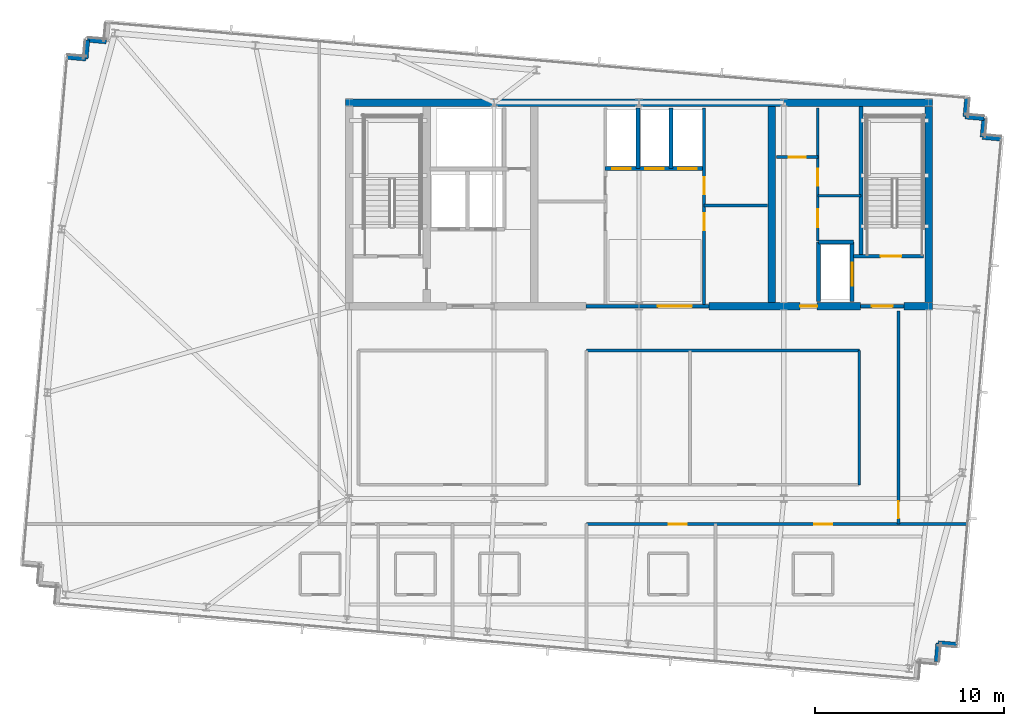
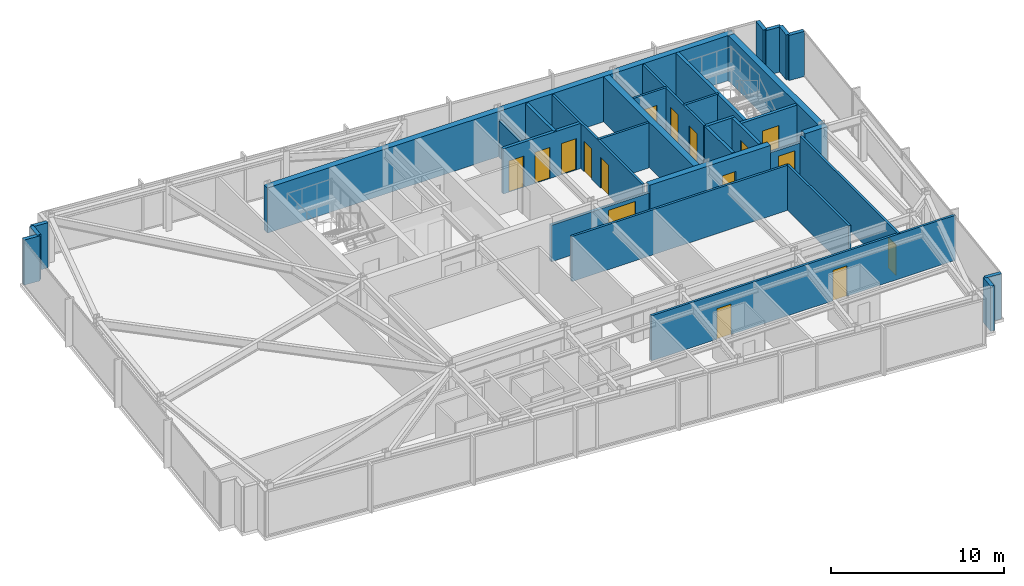
# One storey, part 28 of 33: 33 walls, 16 doors, 16 openings.
"""IFC4 building model written with IfcOpenShell, lengths in metres."""

from ifc_helpers import new_model, si_unit, direction, frame, frame_2d, origin, place, context, subcontext, project, spatial, rectangle, extrude, material, layer, layer_set, type_object, element, fill, save


model = new_model("IFC4")

# Units and contexts
model_context = context("Model", 3, precision=1e-05, world=origin(), true_north=direction((0.0, 1.0)))
body_context = subcontext(model_context, "Body", "Model", "MODEL_VIEW")
ifc_project = project(units=[si_unit("LENGTHUNIT", "METRE"), si_unit("AREAUNIT", "SQUARE_METRE"), si_unit("VOLUMEUNIT", "CUBIC_METRE"), si_unit("PLANEANGLEUNIT", "RADIAN"), si_unit("MASSUNIT", "GRAM", prefix="KILO")], contexts=[model_context])

# Site, building, storey
site_placement = place(None, origin())
site = spatial("IfcSite", under=ifc_project, at=site_placement, CompositionType="ELEMENT")
building_placement = place(site_placement, origin())
building = spatial("IfcBuilding", under=site, at=building_placement, Name="Yelkora Congress Tower", CompositionType="ELEMENT")
storey_placement = place(building_placement, frame((0.0, 0.0, 282.89990234375)))
storey = spatial("IfcBuildingStorey", under=building, at=storey_placement, Name="L79", CompositionType="ELEMENT", Elevation=282.89990234375)

# Walls
ifc_material_1 = material(Name="Concrete C50/60", Category="concrete")
ifc_layer_1 = layer(ifc_material_1, 0.219970703125)
ifc_layer_set_1 = layer_set([ifc_layer_1], Name="Concrete C50/60")
wall_type_1 = type_object("IfcWallType", Name="WALL-CORE-INT-220", PredefinedType="SHEAR", material=ifc_layer_set_1)
wall_1_placement = place(storey_placement, frame((50.179931640625, 38.050048828125, 0.0), z_axis=(0.0, 0.0, 1.0), x_axis=(0.0, 1.0, 0.0)))
element("IfcWall", 1, at=wall_1_placement, inside=storey, type_object=wall_type_1, Name="L79 ST02 West Stair Shear Wall", PredefinedType="SHEAR", context=body_context, shape_type="SweptSolid", body=[
    extrude(rectangle(XDim=7.949951171875, YDim=0.219970703125, at=frame_2d((3.97509765625, 0.0))), origin(), (0.0, 0.0, 1.0), 3.18017578125),
])
ifc_layer_2 = layer(ifc_material_1, 0.39990234375)
ifc_layer_set_2 = layer_set([ifc_layer_2], Name="Concrete C50/60")
wall_type_2 = type_object("IfcWallType", Name="WALL-CORE-INT-400", PredefinedType="SHEAR", material=ifc_layer_set_2)
wall_2_placement = place(storey_placement, frame((22.840087890625, 46.199951171875, 0.0), z_axis=(0.0, 0.0, 1.0), x_axis=(1.0, 0.0, 0.0)))
element("IfcWall", 2, at=wall_2_placement, inside=storey, type_object=wall_type_2, Name="L79 Rear Core North Shear Wall", PredefinedType="SHEAR", context=body_context, shape_type="SweptSolid", body=[
    extrude(rectangle(XDim=31.119873046875, YDim=0.39990234375, at=frame_2d((15.56005859375, 0.0))), origin(), (0.0, 0.0, 1.0), 3.18017578125),
])

# Wall, opening, door
wall_3_placement = place(storey_placement, frame((42.10009765625, 35.39990234375, 0.0), z_axis=(0.0, 0.0, 1.0), x_axis=(1.0, 0.0, 0.0)))
wall_3 = element("IfcWall", 3, at=wall_3_placement, inside=storey, type_object=wall_type_2, Name="L79 Rear Core South-East Shear Wall A", PredefinedType="SHEAR", context=body_context, shape_type="SweptSolid", body=[
    extrude(rectangle(XDim=8.0498046875, YDim=0.39990234375, at=frame_2d((4.02490234375, 0.0))), origin(), (0.0, 0.0, 1.0), 3.18017578125),
])
opening_1_placement = place(wall_3_placement, frame((4.85009765625, 0.0, 0.0)))
opening_1 = element("IfcOpeningElement", 4, at=opening_1_placement, cuts=wall_3, Name="Opening DR-090F6", PredefinedType="OPENING", context=body_context, shape_type="SweptSolid", body=[
    extrude(rectangle(XDim=0.89990234375, YDim=2.14990234375, at=frame_2d((0.449951171875, 1.074951171875))), frame((0.0, 0.2099609375, 0.0), z_axis=(0.0, -1.0, 0.0), x_axis=(1.0, 0.0, 0.0)), (0.0, 0.0, 1.0), 0.419921875),
])
ifc_material_2 = material(Name="Painted steel riser fire door leaf", Category="steel")
door_type_1 = type_object("IfcDoorType", Name="DOOR-FD60-900", OperationType="NOTDEFINED", PredefinedType="DOOR", material=ifc_material_2)
door_1_placement = place(opening_1_placement, origin())
door_1 = element("IfcDoor", 5, at=door_1_placement, inside=storey, type_object=door_type_1, Name="L79 Core Washroom Lobby Door", OperationType="SINGLE_SWING_RIGHT", OverallHeight=2.14990234375, OverallWidth=0.89990234375, PredefinedType="DOOR", context=body_context, shape_type="SweptSolid", body=[
    extrude(rectangle(XDim=0.89990234375, YDim=2.14990234375, at=frame_2d((0.449951171875, 1.074951171875))), frame((0.0, 0.02490234375, 0.0), z_axis=(0.0, -1.0, 0.0), x_axis=(1.0, 0.0, 0.0)), (0.0, 0.0, 1.0), 0.050048828125),
])
fill(opening_1, door_1)

# Walls
wall_4_placement = place(storey_placement, frame((52.449951171875, 35.39990234375, 0.0), z_axis=(0.0, 0.0, 1.0), x_axis=(1.0, 0.0, 0.0)))
element("IfcWall", 6, at=wall_4_placement, inside=storey, type_object=wall_type_2, Name="L79 Rear Core South-East Shear Wall B", PredefinedType="SHEAR", context=body_context, shape_type="SweptSolid", body=[
    extrude(rectangle(XDim=1.510009765625, YDim=0.39990234375, at=frame_2d((0.7548828125, 0.0))), origin(), (0.0, 0.0, 1.0), 3.18017578125),
])
for number, where, z_axis, x_axis, name in (
    (7, (45.449951171875, 35.60009765625, 0.0), (0.0, 0.0, 1.0), (0.0, 1.0, 0.0), "L79 Rear Core Cross Shear Wall C3"),
    (8, (53.760009765625, 35.60009765625, 0.0), (0.0, 0.0, 1.0), (0.0, 1.0, 0.0), "L79 Rear Core Cross Shear Wall E"),
):
    element("IfcWall", number, at=place(storey_placement, frame(where, z_axis=z_axis, x_axis=x_axis)), inside=storey, type_object=wall_type_2, Name=name, PredefinedType="SHEAR", context=body_context, shape_type="SweptSolid", body=[
        extrude(rectangle(XDim=10.39990234375, YDim=0.39990234375, at=frame_2d((5.199951171875, 0.0))), origin(), (0.0, 0.0, 1.0), 3.18017578125),
    ])
ifc_material_3 = material(Name="Concrete C40/50", Category="concrete")
ifc_layer_3 = layer(ifc_material_3, 0.239990234375)
ifc_layer_set_3 = layer_set([ifc_layer_3], Name="Concrete C40/50")
wall_type_3 = type_object("IfcWallType", Name="WALL-EXT-LIMESTONE-240", PredefinedType="SOLIDWALL", material=ifc_layer_set_3)
for number, where, z_axis, x_axis, name in (
    (9, (8.0732421875, 48.609619140625, 0.0), (0.0, 0.0, 1.0), (0.996195572005, -0.087145753297, 0.0), "L79 Serrated Corner Limestone Pier 6"),
    (10, (9.069580078125, 48.5224609375, 0.0), (0.0, 0.0, 1.0), (0.087145753297, 0.996195572005, 0.0), "L79 Serrated Corner Limestone Pier 7"),
):
    element("IfcWall", number, at=place(storey_placement, frame(where, z_axis=z_axis, x_axis=x_axis)), inside=storey, type_object=wall_type_3, Name=name, PredefinedType="SOLIDWALL", context=body_context, shape_type="SweptSolid", body=[
        extrude(rectangle(XDim=1.000244140625, YDim=0.239990234375, at=frame_2d((0.5, 0.0))), origin(), (0.0, 0.0, 1.0), 3.18017578125),
    ])
for number, where, z_axis, x_axis, name in (
    (11, (9.15673828125, 49.518798828125, 0.0), (0.0, 0.0, 1.0), (0.996193717496, -0.087166950281, 0.0), "L79 Serrated Corner Limestone Pier 8"),
    (12, (55.785888671875, 46.443115234375, 0.0), (0.0, 0.0, 1.0), (-0.086903493655, -0.996216734848, 0.0), "L79 Serrated Corner Limestone Pier 11"),
    (13, (55.698974609375, 45.44677734375, 0.0), (0.0, 0.0, 1.0), (0.996193717496, -0.087166950281, 0.0), "L79 Serrated Corner Limestone Pier 12"),
    (14, (56.695068359375, 45.359619140625, 0.0), (0.0, 0.0, 1.0), (-0.087166950281, -0.996193717496, 0.0), "L79 Serrated Corner Limestone Pier 13"),
    (15, (56.60791015625, 44.363525390625, 0.0), (0.0, 0.0, 1.0), (0.996193717496, -0.087166950281, 0.0), "L79 Serrated Corner Limestone Pier 14"),
    (16, (55.2578125, 17.458740234375, 0.0), (0.0, 0.0, 1.0), (-0.996193717496, 0.087166950281, 0.0), "L79 Serrated Corner Limestone Pier 16"),
    (17, (54.26171875, 17.5458984375, 0.0), (0.0, 0.0, 1.0), (-0.087166950281, -0.996193717496, 0.0), "L79 Serrated Corner Limestone Pier 17"),
):
    element("IfcWall", number, at=place(storey_placement, frame(where, z_axis=z_axis, x_axis=x_axis)), inside=storey, type_object=wall_type_3, Name=name, PredefinedType="SOLIDWALL", context=body_context, shape_type="SweptSolid", body=[
        extrude(rectangle(XDim=1.0, YDim=0.239990234375, at=frame_2d((0.5, 0.0))), origin(), (0.0, 0.0, 1.0), 3.18017578125),
    ])

# Wall, opening, door
ifc_material_4 = material(Name="Acoustic metal-stud gypsum partition", Category="gypsum")
ifc_layer_4 = layer(ifc_material_4, 0.14990234375)
ifc_layer_set_4 = layer_set([ifc_layer_4], Name="Acoustic metal-stud gypsum partition")
wall_type_4 = type_object("IfcWallType", Name="WALL-INT-150-NR", PredefinedType="PARTITIONING", material=ifc_layer_set_4)
wall_5_placement = place(storey_placement, frame((45.679931640625, 43.31005859375, 0.0), z_axis=(0.0, 0.0, 1.0), x_axis=(1.0, 0.0, 0.0)))
wall_5 = element("IfcWall", 18, at=wall_5_placement, inside=storey, type_object=wall_type_4, Name="L79 Partition Wall 20", PredefinedType="PARTITIONING", context=body_context, shape_type="SweptSolid", body=[
    extrude(rectangle(XDim=2.199951171875, YDim=0.14990234375, at=frame_2d((1.10009765625, 0.0))), origin(), (0.0, 0.0, 1.0), 3.18017578125),
])
opening_2_placement = place(wall_5_placement, frame((0.64990234375, 0.0, 0.0)))
opening_2 = element("IfcOpeningElement", 19, at=opening_2_placement, cuts=wall_5, Name="Opening DR-090N", PredefinedType="OPENING", context=body_context, shape_type="SweptSolid", body=[
    extrude(rectangle(XDim=0.89990234375, YDim=2.14990234375, at=frame_2d((0.449951171875, 1.074951171875))), frame((0.0, 0.0849609375, 0.0), z_axis=(0.0, -1.0, 0.0), x_axis=(1.0, 0.0, 0.0)), (0.0, 0.0, 1.0), 0.169921875),
])
ifc_material_5 = material(Name="Moisture-resistant laminate door leaf", Category="wood")
door_type_2 = type_object("IfcDoorType", Name="DOOR-INT-900", OperationType="NOTDEFINED", PredefinedType="DOOR", material=ifc_material_5)
door_2_placement = place(opening_2_placement, origin())
door_2 = element("IfcDoor", 20, at=door_2_placement, inside=storey, type_object=door_type_2, Name="L79 Male WC Door", OperationType="SINGLE_SWING_LEFT", OverallHeight=2.14990234375, OverallWidth=0.89990234375, PredefinedType="DOOR", context=body_context, shape_type="SweptSolid", body=[
    extrude(rectangle(XDim=0.89990234375, YDim=2.14990234375, at=frame_2d((0.449951171875, 1.074951171875))), frame((0.0, 0.02490234375, 0.0), z_axis=(0.0, -1.0, 0.0), x_axis=(1.0, 0.0, 0.0)), (0.0, 0.0, 1.0), 0.050048828125),
])
fill(opening_2, door_2)

# Wall
wall_6_placement = place(storey_placement, frame((47.8798828125, 41.260009765625, 0.0), z_axis=(0.0, 0.0, 1.0), x_axis=(1.0, 0.0, 0.0)))
element("IfcWall", 21, at=wall_6_placement, inside=storey, type_object=wall_type_4, Name="L79 Partition Wall 21", PredefinedType="PARTITIONING", context=body_context, shape_type="SweptSolid", body=[
    extrude(rectangle(XDim=2.300048828125, YDim=0.14990234375, at=frame_2d((1.14990234375, 0.0))), origin(), (0.0, 0.0, 1.0), 3.18017578125),
])

# Wall, openings, doors
wall_7_placement = place(storey_placement, frame((47.8798828125, 38.85009765625, 0.0), z_axis=(0.0, 0.0, 1.0), x_axis=(0.0, 1.0, 0.0)))
wall_7 = element("IfcWall", 22, at=wall_7_placement, inside=storey, type_object=wall_type_4, Name="L79 Partition Wall 22", PredefinedType="PARTITIONING", context=body_context, shape_type="SweptSolid", body=[
    extrude(rectangle(XDim=7.06982421875, YDim=0.14990234375, at=frame_2d((3.534912109375, 0.0))), origin(), (0.0, 0.0, 1.0), 3.18017578125),
])
opening_3_placement = place(wall_7_placement, frame((0.75, 0.0, 0.0)))
opening_3 = element("IfcOpeningElement", 23, at=opening_3_placement, cuts=wall_7, Name="Opening DR-095N", PredefinedType="OPENING", context=body_context, shape_type="SweptSolid", body=[
    extrude(rectangle(XDim=0.949951171875, YDim=2.14990234375, at=frame_2d((0.47509765625, 1.074951171875))), frame((0.0, 0.0849609375, 0.0), z_axis=(0.0, -1.0, 0.0), x_axis=(1.0, 0.0, 0.0)), (0.0, 0.0, 1.0), 0.169921875),
])
opening_4_placement = place(wall_7_placement, frame((2.949951171875, 0.0, 0.0)))
opening_4 = element("IfcOpeningElement", 24, at=opening_4_placement, cuts=wall_7, Name="Opening DR-090N", PredefinedType="OPENING", context=body_context, shape_type="SweptSolid", body=[
    extrude(rectangle(XDim=0.89990234375, YDim=2.14990234375, at=frame_2d((0.449951171875, 1.074951171875))), frame((0.0, 0.0849609375, 0.0), z_axis=(0.0, -1.0, 0.0), x_axis=(1.0, 0.0, 0.0)), (0.0, 0.0, 1.0), 0.169921875),
])
door_3_placement = place(opening_4_placement, origin())
door_3 = element("IfcDoor", 25, at=door_3_placement, inside=storey, type_object=door_type_2, Name="L79 Female WC Door", OperationType="SINGLE_SWING_LEFT", OverallHeight=2.14990234375, OverallWidth=0.89990234375, PredefinedType="DOOR", context=body_context, shape_type="SweptSolid", body=[
    extrude(rectangle(XDim=0.89990234375, YDim=2.14990234375, at=frame_2d((0.449951171875, 1.074951171875))), frame((0.0, 0.02490234375, 0.0), z_axis=(0.0, -1.0, 0.0), x_axis=(1.0, 0.0, 0.0)), (0.0, 0.0, 1.0), 0.050048828125),
])
fill(opening_4, door_3)
ifc_material_6 = material(Name="Acoustic laminated timber office door", Category="wood")
door_type_3 = type_object("IfcDoorType", Name="DOOR-INT-950", OperationType="NOTDEFINED", PredefinedType="DOOR", material=ifc_material_6)
door_4_placement = place(opening_3_placement, origin())
door_4 = element("IfcDoor", 26, at=door_4_placement, inside=storey, type_object=door_type_3, Name="L79 Accessible WC Door", OperationType="SINGLE_SWING_RIGHT", OverallHeight=2.14990234375, OverallWidth=0.949951171875, PredefinedType="DOOR", context=body_context, shape_type="SweptSolid", body=[
    extrude(rectangle(XDim=0.949951171875, YDim=2.14990234375, at=frame_2d((0.47509765625, 1.074951171875))), frame((0.0, 0.02490234375, 0.0), z_axis=(0.0, -1.0, 0.0), x_axis=(1.0, 0.0, 0.0)), (0.0, 0.0, 1.0), 0.050048828125),
])
fill(opening_3, door_4)

# Wall, opening, door
wall_8_placement = place(storey_placement, frame((52.159912109375, 23.85009765625, 0.0), z_axis=(0.0, 0.0, 1.0), x_axis=(0.0, 1.0, 0.0)))
wall_8 = element("IfcWall", 27, at=wall_8_placement, inside=storey, type_object=wall_type_4, Name="L79 Partition Wall 50", PredefinedType="PARTITIONING", context=body_context, shape_type="SweptSolid", body=[
    extrude(rectangle(XDim=11.289794921875, YDim=0.14990234375, at=frame_2d((5.64501953125, 0.0))), origin(), (0.0, 0.0, 1.0), 3.18017578125),
])
opening_5_placement = place(wall_8_placement, frame((0.300048828125, 0.0, 0.0)))
opening_5 = element("IfcOpeningElement", 28, at=opening_5_placement, cuts=wall_8, Name="Opening DR-090N", PredefinedType="OPENING", context=body_context, shape_type="SweptSolid", body=[
    extrude(rectangle(XDim=0.89990234375, YDim=2.14990234375, at=frame_2d((0.449951171875, 1.074951171875))), frame((0.0, 0.0849609375, 0.0), z_axis=(0.0, -1.0, 0.0), x_axis=(1.0, 0.0, 0.0)), (0.0, 0.0, 1.0), 0.169921875),
])
door_5_placement = place(opening_5_placement, origin())
door_5 = element("IfcDoor", 29, at=door_5_placement, inside=storey, type_object=door_type_2, Name="L79 E Wing Door", OperationType="SINGLE_SWING_LEFT", OverallHeight=2.14990234375, OverallWidth=0.89990234375, PredefinedType="DOOR", context=body_context, shape_type="SweptSolid", body=[
    extrude(rectangle(XDim=0.89990234375, YDim=2.14990234375, at=frame_2d((0.449951171875, 1.074951171875))), frame((0.0, 0.02490234375, 0.0), z_axis=(0.0, -1.0, 0.0), x_axis=(1.0, 0.0, 0.0)), (0.0, 0.0, 1.0), 0.050048828125),
])
fill(opening_5, door_5)

# Walls
wall_9_placement = place(storey_placement, frame((50.080078125, 25.929931640625, 0.0), z_axis=(0.0, 0.0, 1.0), x_axis=(0.0, 1.0, 0.0)))
element("IfcWall", 30, at=wall_9_placement, inside=storey, type_object=wall_type_4, Name="L79 Partition Wall 52", PredefinedType="PARTITIONING", context=body_context, shape_type="SweptSolid", body=[
    extrude(rectangle(XDim=7.1201171875, YDim=0.14990234375, at=frame_2d((3.56005859375, 0.0))), origin(), (0.0, 0.0, 1.0), 3.18017578125),
])
wall_10_placement = place(storey_placement, frame((35.6201171875, 33.050048828125, 0.0), z_axis=(0.0, 0.0, 1.0), x_axis=(1.0, 0.0, 0.0)))
element("IfcWall", 31, at=wall_10_placement, inside=storey, type_object=wall_type_4, Name="L79 Partition Wall 56", PredefinedType="PARTITIONING", context=body_context, shape_type="SweptSolid", body=[
    extrude(rectangle(XDim=14.4599609375, YDim=0.14990234375, at=frame_2d((7.22998046875, 0.0))), origin(), (0.0, 0.0, 1.0), 3.18017578125),
])
ifc_material_7 = material(Name="Twin-stud fire-rated gypsum partition", Category="gypsum")
ifc_layer_5 = layer(ifc_material_7, 0.14990234375)
ifc_layer_set_5 = layer_set([ifc_layer_5], Name="Twin-stud fire-rated gypsum partition")
wall_type_5 = type_object("IfcWallType", Name="WALL-INT-150-R60", PredefinedType="PARTITIONING", material=ifc_layer_set_5)
wall_11_placement = place(storey_placement, frame((41.85009765625, 40.75, 0.0), z_axis=(0.0, 0.0, 1.0), x_axis=(1.0, 0.0, 0.0)))
element("IfcWall", 32, at=wall_11_placement, inside=storey, type_object=wall_type_5, Name="L79 Partition Wall 13", PredefinedType="PARTITIONING", context=body_context, shape_type="SweptSolid", body=[
    extrude(rectangle(XDim=3.369873046875, YDim=0.14990234375, at=frame_2d((1.68505859375, 0.0))), origin(), (0.0, 0.0, 1.0), 3.18017578125),
])

# Wall, openings, doors
wall_12_placement = place(storey_placement, frame((41.85009765625, 35.5, 0.0), z_axis=(0.0, 0.0, 1.0), x_axis=(0.0, 1.0, 0.0)))
wall_12 = element("IfcWall", 33, at=wall_12_placement, inside=storey, type_object=wall_type_5, Name="L79 Partition Wall 14", PredefinedType="PARTITIONING", context=body_context, shape_type="SweptSolid", body=[
    extrude(rectangle(XDim=10.419921875, YDim=0.14990234375, at=frame_2d((5.2099609375, 0.0))), origin(), (0.0, 0.0, 1.0), 3.18017578125),
])
opening_6_placement = place(wall_12_placement, frame((3.919921875, 0.0, 0.0)))
opening_6 = element("IfcOpeningElement", 34, at=opening_6_placement, cuts=wall_12, Name="Opening DR-090F6", PredefinedType="OPENING", context=body_context, shape_type="SweptSolid", body=[
    extrude(rectangle(XDim=0.89990234375, YDim=2.14990234375, at=frame_2d((0.449951171875, 1.074951171875))), frame((0.0, 0.0849609375, 0.0), z_axis=(0.0, -1.0, 0.0), x_axis=(1.0, 0.0, 0.0)), (0.0, 0.0, 1.0), 0.169921875),
])
opening_7_placement = place(wall_12_placement, frame((5.85009765625, 0.0, 0.0)))
opening_7 = element("IfcOpeningElement", 35, at=opening_7_placement, cuts=wall_12, Name="Opening DR-090F6", PredefinedType="OPENING", context=body_context, shape_type="SweptSolid", body=[
    extrude(rectangle(XDim=0.89990234375, YDim=2.14990234375, at=frame_2d((0.449951171875, 1.074951171875))), frame((0.0, 0.0849609375, 0.0), z_axis=(0.0, -1.0, 0.0), x_axis=(1.0, 0.0, 0.0)), (0.0, 0.0, 1.0), 0.169921875),
])
door_6_placement = place(opening_6_placement, origin())
door_6 = element("IfcDoor", 36, at=door_6_placement, inside=storey, type_object=door_type_1, Name="L79 High-Zone BMS Door", OperationType="SINGLE_SWING_RIGHT", OverallHeight=2.14990234375, OverallWidth=0.89990234375, PredefinedType="DOOR", context=body_context, shape_type="SweptSolid", body=[
    extrude(rectangle(XDim=0.89990234375, YDim=2.14990234375, at=frame_2d((0.449951171875, 1.074951171875))), frame((0.0, 0.02490234375, 0.0), z_axis=(0.0, -1.0, 0.0), x_axis=(1.0, 0.0, 0.0)), (0.0, 0.0, 1.0), 0.050048828125),
])
fill(opening_6, door_6)
door_7_placement = place(opening_7_placement, origin())
door_7 = element("IfcDoor", 37, at=door_7_placement, inside=storey, type_object=door_type_1, Name="L79 Linen Store Door", OperationType="SINGLE_SWING_LEFT", OverallHeight=2.14990234375, OverallWidth=0.89990234375, PredefinedType="DOOR", context=body_context, shape_type="SweptSolid", body=[
    extrude(rectangle(XDim=0.89990234375, YDim=2.14990234375, at=frame_2d((0.449951171875, 1.074951171875))), frame((0.0, 0.02490234375, 0.0), z_axis=(0.0, -1.0, 0.0), x_axis=(1.0, 0.0, 0.0)), (0.0, 0.0, 1.0), 0.050048828125),
])
fill(opening_7, door_7)

wall_13_placement = place(storey_placement, frame((35.6201171875, 23.85009765625, 0.0), z_axis=(0.0, 0.0, 1.0), x_axis=(1.0, 0.0, 0.0)))
wall_13 = element("IfcWall", 38, at=wall_13_placement, inside=storey, type_object=wall_type_5, Name="L79 South Spine Wall East", PredefinedType="PARTITIONING", context=body_context, shape_type="SweptSolid", body=[
    extrude(rectangle(XDim=20.257080078125, YDim=0.14990234375, at=frame_2d((10.12841796875, 0.0))), origin(), (0.0, 0.0, 1.0), 3.18017578125),
])
opening_8_placement = place(wall_13_placement, frame((4.364501953125, 0.0, 0.0)))
opening_8 = element("IfcOpeningElement", 39, at=opening_8_placement, cuts=wall_13, Name="Opening DR-095F6", PredefinedType="OPENING", context=body_context, shape_type="SweptSolid", body=[
    extrude(rectangle(XDim=0.949951171875, YDim=2.14990234375, at=frame_2d((0.47509765625, 1.074951171875))), frame((0.0, 0.0849609375, 0.0), z_axis=(0.0, -1.0, 0.0), x_axis=(1.0, 0.0, 0.0)), (0.0, 0.0, 1.0), 0.169921875),
])
opening_9_placement = place(wall_13_placement, frame((12.0859375, 0.0, 0.0)))
opening_9 = element("IfcOpeningElement", 40, at=opening_9_placement, cuts=wall_13, Name="Opening DR-095F6", PredefinedType="OPENING", context=body_context, shape_type="SweptSolid", body=[
    extrude(rectangle(XDim=0.949951171875, YDim=2.14990234375, at=frame_2d((0.47509765625, 1.074951171875))), frame((0.0, 0.0849609375, 0.0), z_axis=(0.0, -1.0, 0.0), x_axis=(1.0, 0.0, 0.0)), (0.0, 0.0, 1.0), 0.169921875),
])
ifc_material_8 = material(Name="Acoustic oak-veneer fire door leaf", Category="wood")
door_type_4 = type_object("IfcDoorType", Name="DOOR-FD60-950", OperationType="NOTDEFINED", PredefinedType="DOOR", material=ifc_material_8)
door_8_placement = place(opening_8_placement, origin())
door_8 = element("IfcDoor", 41, at=door_8_placement, inside=storey, type_object=door_type_4, Name="L79 Hotel Guest Room 05 Entry Door", OperationType="SINGLE_SWING_RIGHT", OverallHeight=2.14990234375, OverallWidth=0.949951171875, PredefinedType="DOOR", context=body_context, shape_type="SweptSolid", body=[
    extrude(rectangle(XDim=0.949951171875, YDim=2.14990234375, at=frame_2d((0.47509765625, 1.074951171875))), frame((0.0, 0.02490234375, 0.0), z_axis=(0.0, -1.0, 0.0), x_axis=(1.0, 0.0, 0.0)), (0.0, 0.0, 1.0), 0.050048828125),
])
fill(opening_8, door_8)
door_9_placement = place(opening_9_placement, origin())
door_9 = element("IfcDoor", 42, at=door_9_placement, inside=storey, type_object=door_type_4, Name="L79 Diplomatic Suite 06 Entry Door", OperationType="SINGLE_SWING_LEFT", OverallHeight=2.14990234375, OverallWidth=0.949951171875, PredefinedType="DOOR", context=body_context, shape_type="SweptSolid", body=[
    extrude(rectangle(XDim=0.949951171875, YDim=2.14990234375, at=frame_2d((0.47509765625, 1.074951171875))), frame((0.0, 0.02490234375, 0.0), z_axis=(0.0, -1.0, 0.0), x_axis=(1.0, 0.0, 0.0)), (0.0, 0.0, 1.0), 0.050048828125),
])
fill(opening_9, door_9)

# Wall, opening, door
ifc_material_9 = material(Name="Autoclaved aerated concrete blockwork", Category="masonry")
ifc_layer_6 = layer(ifc_material_9, 0.199951171875)
ifc_layer_set_6 = layer_set([ifc_layer_6], Name="Autoclaved aerated concrete blockwork")
wall_type_6 = type_object("IfcWallType", Name="WALL-INT-200-R120", PredefinedType="PARTITIONING", material=ifc_layer_set_6)
wall_14_placement = place(storey_placement, frame((35.60009765625, 35.39990234375, 0.0), z_axis=(0.0, 0.0, 1.0), x_axis=(1.0, 0.0, 0.0)))
wall_14 = element("IfcWall", 43, at=wall_14_placement, inside=storey, type_object=wall_type_6, Name="L79 Main Lift Lobby South Portal Wall", PredefinedType="PARTITIONING", context=body_context, shape_type="SweptSolid", body=[
    extrude(rectangle(XDim=6.5, YDim=0.199951171875, at=frame_2d((3.25, 0.0))), origin(), (0.0, 0.0, 1.0), 2.5751953125),
])
opening_10_placement = place(wall_14_placement, frame((3.800048828125, 0.0, 0.0)))
opening_10 = element("IfcOpeningElement", 44, at=opening_10_placement, cuts=wall_14, Name="Opening DR-180D", PredefinedType="OPENING", context=body_context, shape_type="SweptSolid", body=[
    extrude(rectangle(XDim=1.800048828125, YDim=2.300048828125, at=frame_2d((0.89990234375, 1.14990234375))), frame((0.0, 0.10986328125, 0.0), z_axis=(0.0, -1.0, 0.0), x_axis=(1.0, 0.0, 0.0)), (0.0, 0.0, 1.0), 0.219970703125),
])
ifc_material_10 = material(Name="Acoustic double congress hall doors", Category="wood")
door_type_5 = type_object("IfcDoorType", Name="DOOR-DBL-1800", OperationType="DOUBLE_DOOR_SINGLE_SWING", PredefinedType="DOOR", material=ifc_material_10)
door_10_placement = place(opening_10_placement, origin())
door_10 = element("IfcDoor", 45, at=door_10_placement, inside=storey, type_object=door_type_5, Name="L79 Main Lift Lobby Portal Door", OperationType="DOUBLE_DOOR_SINGLE_SWING", OverallHeight=2.300048828125, OverallWidth=1.800048828125, PredefinedType="DOOR", context=body_context, shape_type="SweptSolid", body=[
    extrude(rectangle(XDim=1.800048828125, YDim=2.300048828125, at=frame_2d((0.89990234375, 1.14990234375))), frame((0.0, 0.02490234375, 0.0), z_axis=(0.0, -1.0, 0.0), x_axis=(1.0, 0.0, 0.0)), (0.0, 0.0, 1.0), 0.050048828125),
])
fill(opening_10, door_10)

# Wall, openings, doors
wall_15_placement = place(storey_placement, frame((36.60009765625, 42.699951171875, 0.0), z_axis=(0.0, 0.0, 1.0), x_axis=(1.0, 0.0, 0.0)))
wall_15 = element("IfcWall", 46, at=wall_15_placement, inside=storey, type_object=wall_type_6, Name="L79 Partition Wall 8", PredefinedType="PARTITIONING", context=body_context, shape_type="SweptSolid", body=[
    extrude(rectangle(XDim=5.25, YDim=0.199951171875, at=frame_2d((2.625, 0.0))), origin(), (0.0, 0.0, 1.0), 3.18017578125),
])
opening_11_placement = place(wall_15_placement, frame((0.375, 0.0, 0.0)))
opening_11 = element("IfcOpeningElement", 47, at=opening_11_placement, cuts=wall_15, Name="Opening LD-PS10", PredefinedType="OPENING", context=body_context, shape_type="SweptSolid", body=[
    extrude(rectangle(XDim=1.0, YDim=2.199951171875, at=frame_2d((0.5, 1.10009765625))), frame((0.0, 0.10986328125, 0.0), z_axis=(0.0, -1.0, 0.0), x_axis=(1.0, 0.0, 0.0)), (0.0, 0.0, 1.0), 0.219970703125),
])
opening_12_placement = place(wall_15_placement, frame((2.125, 0.0, 0.0)))
opening_12 = element("IfcOpeningElement", 48, at=opening_12_placement, cuts=wall_15, Name="Opening LD-PS10", PredefinedType="OPENING", context=body_context, shape_type="SweptSolid", body=[
    extrude(rectangle(XDim=1.0, YDim=2.199951171875, at=frame_2d((0.5, 1.10009765625))), frame((0.0, 0.10986328125, 0.0), z_axis=(0.0, -1.0, 0.0), x_axis=(1.0, 0.0, 0.0)), (0.0, 0.0, 1.0), 0.219970703125),
])
opening_13_placement = place(wall_15_placement, frame((3.875, 0.0, 0.0)))
opening_13 = element("IfcOpeningElement", 49, at=opening_13_placement, cuts=wall_15, Name="Opening LD-PS10", PredefinedType="OPENING", context=body_context, shape_type="SweptSolid", body=[
    extrude(rectangle(XDim=1.0, YDim=2.199951171875, at=frame_2d((0.5, 1.10009765625))), frame((0.0, 0.10986328125, 0.0), z_axis=(0.0, -1.0, 0.0), x_axis=(1.0, 0.0, 0.0)), (0.0, 0.0, 1.0), 0.219970703125),
])
ifc_material_11 = material(Name="Champagne stainless steel landing door", Category="steel")
door_type_6 = type_object("IfcDoorType", Name="DOOR-LIFT-PAS-1000", OperationType="DOUBLE_DOOR_SLIDING", PredefinedType="DOOR", material=ifc_material_11)
door_11_placement = place(opening_11_placement, origin())
door_11 = element("IfcDoor", 50, at=door_11_placement, inside=storey, type_object=door_type_6, Name="Lift Landing Door LF-P9 L79", OperationType="DOUBLE_DOOR_SLIDING", OverallHeight=2.199951171875, OverallWidth=1.0, PredefinedType="DOOR", context=body_context, shape_type="SweptSolid", body=[
    extrude(rectangle(XDim=1.0, YDim=2.199951171875, at=frame_2d((0.5, 1.10009765625))), frame((0.0, 0.02490234375, 0.0), z_axis=(0.0, -1.0, 0.0), x_axis=(1.0, 0.0, 0.0)), (0.0, 0.0, 1.0), 0.050048828125),
])
fill(opening_11, door_11)
door_12_placement = place(opening_12_placement, origin())
door_12 = element("IfcDoor", 51, at=door_12_placement, inside=storey, type_object=door_type_6, Name="Lift Landing Door LF-P10 L79", OperationType="DOUBLE_DOOR_SLIDING", OverallHeight=2.199951171875, OverallWidth=1.0, PredefinedType="DOOR", context=body_context, shape_type="SweptSolid", body=[
    extrude(rectangle(XDim=1.0, YDim=2.199951171875, at=frame_2d((0.5, 1.10009765625))), frame((0.0, 0.02490234375, 0.0), z_axis=(0.0, -1.0, 0.0), x_axis=(1.0, 0.0, 0.0)), (0.0, 0.0, 1.0), 0.050048828125),
])
fill(opening_12, door_12)
door_13_placement = place(opening_13_placement, origin())
door_13 = element("IfcDoor", 52, at=door_13_placement, inside=storey, type_object=door_type_6, Name="Lift Landing Door LF-P11 L79", OperationType="DOUBLE_DOOR_SLIDING", OverallHeight=2.199951171875, OverallWidth=1.0, PredefinedType="DOOR", context=body_context, shape_type="SweptSolid", body=[
    extrude(rectangle(XDim=1.0, YDim=2.199951171875, at=frame_2d((0.5, 1.10009765625))), frame((0.0, 0.02490234375, 0.0), z_axis=(0.0, -1.0, 0.0), x_axis=(1.0, 0.0, 0.0)), (0.0, 0.0, 1.0), 0.050048828125),
])
fill(opening_13, door_13)

# Walls
wall_16_placement = place(storey_placement, frame((38.35009765625, 42.699951171875, 0.0), z_axis=(0.0, 0.0, 1.0), x_axis=(0.0, 1.0, 0.0)))
element("IfcWall", 53, at=wall_16_placement, inside=storey, type_object=wall_type_6, Name="L79 Partition Wall 9", PredefinedType="PARTITIONING", context=body_context, shape_type="SweptSolid", body=[
    extrude(rectangle(XDim=3.219970703125, YDim=0.199951171875, at=frame_2d((1.60986328125, 0.0))), origin(), (0.0, 0.0, 1.0), 2.5751953125),
])
wall_17_placement = place(storey_placement, frame((40.10009765625, 42.699951171875, 0.0), z_axis=(0.0, 0.0, 1.0), x_axis=(0.0, 1.0, 0.0)))
element("IfcWall", 54, at=wall_17_placement, inside=storey, type_object=wall_type_6, Name="L79 Partition Wall 10", PredefinedType="PARTITIONING", context=body_context, shape_type="SweptSolid", body=[
    extrude(rectangle(XDim=3.219970703125, YDim=0.199951171875, at=frame_2d((1.60986328125, 0.0))), origin(), (0.0, 0.0, 1.0), 3.18017578125),
])

# Wall, opening, door
wall_18_placement = place(storey_placement, frame((49.780029296875, 38.050048828125, 0.0), z_axis=(0.0, 0.0, 1.0), x_axis=(1.0, 0.0, 0.0)))
wall_18 = element("IfcWall", 55, at=wall_18_placement, inside=storey, type_object=wall_type_6, Name="L79 Stair ST-02 Enclosure Wall", PredefinedType="PARTITIONING", context=body_context, shape_type="SweptSolid", body=[
    extrude(rectangle(XDim=3.719970703125, YDim=0.199951171875, at=frame_2d((1.85986328125, 0.0))), origin(), (0.0, 0.0, 1.0), 3.18017578125),
])
opening_14_placement = place(wall_18_placement, frame((1.436279296875, 0.0, 0.0)))
opening_14 = element("IfcOpeningElement", 56, at=opening_14_placement, cuts=wall_18, Name="Opening DR-110F9", PredefinedType="OPENING", context=body_context, shape_type="SweptSolid", body=[
    extrude(rectangle(XDim=1.10009765625, YDim=2.14990234375, at=frame_2d((0.550048828125, 1.074951171875))), frame((0.0, 0.10986328125, 0.0), z_axis=(0.0, -1.0, 0.0), x_axis=(1.0, 0.0, 0.0)), (0.0, 0.0, 1.0), 0.219970703125),
])
ifc_material_12 = material(Name="Galvanised steel fire door leaf", Category="steel")
door_type_7 = type_object("IfcDoorType", Name="DOOR-FD90-1100", OperationType="NOTDEFINED", PredefinedType="DOOR", material=ifc_material_12)
door_14_placement = place(opening_14_placement, origin())
door_14 = element("IfcDoor", 57, at=door_14_placement, inside=storey, type_object=door_type_7, Name="L79 Stair ST-02 Entry Door", OperationType="SINGLE_SWING_RIGHT", OverallHeight=2.14990234375, OverallWidth=1.10009765625, PredefinedType="DOOR", context=body_context, shape_type="SweptSolid", body=[
    extrude(rectangle(XDim=1.10009765625, YDim=2.14990234375, at=frame_2d((0.550048828125, 1.074951171875))), frame((0.0, 0.02490234375, 0.0), z_axis=(0.0, -1.0, 0.0), x_axis=(1.0, 0.0, 0.0)), (0.0, 0.0, 1.0), 0.050048828125),
])
fill(opening_14, door_14)

wall_19_placement = place(storey_placement, frame((50.14990234375, 35.39990234375, 0.0), z_axis=(0.0, 0.0, 1.0), x_axis=(1.0, 0.0, 0.0)))
wall_19 = element("IfcWall", 58, at=wall_19_placement, inside=storey, type_object=wall_type_6, Name="L79 Partition Wall 16", PredefinedType="PARTITIONING", context=body_context, shape_type="SweptSolid", body=[
    extrude(rectangle(XDim=2.300048828125, YDim=0.199951171875, at=frame_2d((1.14990234375, 0.0))), origin(), (0.0, 0.0, 1.0), 2.5751953125),
])
opening_15_placement = place(wall_19_placement, frame((0.60009765625, 0.0, 0.0)))
opening_15 = element("IfcOpeningElement", 59, at=opening_15_placement, cuts=wall_19, Name="Opening DR-110F9", PredefinedType="OPENING", context=body_context, shape_type="SweptSolid", body=[
    extrude(rectangle(XDim=1.10009765625, YDim=2.14990234375, at=frame_2d((0.550048828125, 1.074951171875))), frame((0.0, 0.10986328125, 0.0), z_axis=(0.0, -1.0, 0.0), x_axis=(1.0, 0.0, 0.0)), (0.0, 0.0, 1.0), 0.219970703125),
])
door_15_placement = place(opening_15_placement, origin())
door_15 = element("IfcDoor", 60, at=door_15_placement, inside=storey, type_object=door_type_7, Name="L79 East Stair Lobby Door", OperationType="SINGLE_SWING_LEFT", OverallHeight=2.14990234375, OverallWidth=1.10009765625, PredefinedType="DOOR", context=body_context, shape_type="SweptSolid", body=[
    extrude(rectangle(XDim=1.10009765625, YDim=2.14990234375, at=frame_2d((0.550048828125, 1.074951171875))), frame((0.0, 0.02490234375, 0.0), z_axis=(0.0, -1.0, 0.0), x_axis=(1.0, 0.0, 0.0)), (0.0, 0.0, 1.0), 0.050048828125),
])
fill(opening_15, door_15)

wall_20_placement = place(storey_placement, frame((49.699951171875, 35.64990234375, 0.0), z_axis=(0.0, 0.0, 1.0), x_axis=(0.0, 1.0, 0.0)))
wall_20 = element("IfcWall", 61, at=wall_20_placement, inside=storey, type_object=wall_type_6, Name="L79 Partition Wall 17", PredefinedType="PARTITIONING", context=body_context, shape_type="SweptSolid", body=[
    extrude(rectangle(XDim=3.150146484375, YDim=0.199951171875, at=frame_2d((1.5751953125, 0.0))), origin(), (0.0, 0.0, 1.0), 3.18017578125),
])
opening_16_placement = place(wall_20_placement, frame((0.85009765625, 0.0, 0.0)))
opening_16 = element("IfcOpeningElement", 62, at=opening_16_placement, cuts=wall_20, Name="Opening LD-SV12", PredefinedType="OPENING", context=body_context, shape_type="SweptSolid", body=[
    extrude(rectangle(XDim=1.199951171875, YDim=2.199951171875, at=frame_2d((0.60009765625, 1.10009765625))), frame((0.0, 0.10986328125, 0.0), z_axis=(0.0, -1.0, 0.0), x_axis=(1.0, 0.0, 0.0)), (0.0, 0.0, 1.0), 0.219970703125),
])
ifc_material_13 = material(Name="Heavy-duty stainless steel landing door", Category="steel")
door_type_8 = type_object("IfcDoorType", Name="DOOR-LIFT-SRV-1200", OperationType="DOUBLE_DOOR_SLIDING", PredefinedType="DOOR", material=ifc_material_13)
door_16_placement = place(opening_16_placement, origin())
door_16 = element("IfcDoor", 63, at=door_16_placement, inside=storey, type_object=door_type_8, Name="Service Lift Landing Door LF-SV1 L79", OperationType="DOUBLE_DOOR_SLIDING", OverallHeight=2.199951171875, OverallWidth=1.199951171875, PredefinedType="DOOR", context=body_context, shape_type="SweptSolid", body=[
    extrude(rectangle(XDim=1.199951171875, YDim=2.199951171875, at=frame_2d((0.60009765625, 1.10009765625))), frame((0.0, 0.02490234375, 0.0), z_axis=(0.0, -1.0, 0.0), x_axis=(1.0, 0.0, 0.0)), (0.0, 0.0, 1.0), 0.050048828125),
])
fill(opening_16, door_16)

# Walls
wall_21_placement = place(storey_placement, frame((47.919921875, 35.64990234375, 0.0), z_axis=(0.0, 0.0, 1.0), x_axis=(0.0, 1.0, 0.0)))
element("IfcWall", 64, at=wall_21_placement, inside=storey, type_object=wall_type_6, Name="L79 Partition Wall 18", PredefinedType="PARTITIONING", context=body_context, shape_type="SweptSolid", body=[
    extrude(rectangle(XDim=3.150146484375, YDim=0.199951171875, at=frame_2d((1.5751953125, 0.0))), origin(), (0.0, 0.0, 1.0), 3.18017578125),
])
wall_22_placement = place(storey_placement, frame((47.919921875, 38.800048828125, 0.0), z_axis=(0.0, 0.0, 1.0), x_axis=(1.0, 0.0, 0.0)))
element("IfcWall", 65, at=wall_22_placement, inside=storey, type_object=wall_type_6, Name="L79 Partition Wall 19", PredefinedType="PARTITIONING", context=body_context, shape_type="SweptSolid", body=[
    extrude(rectangle(XDim=1.860107421875, YDim=0.199951171875, at=frame_2d((0.93017578125, 0.0))), origin(), (0.0, 0.0, 1.0), 3.18017578125),
])

save(model, "model.ifc")
